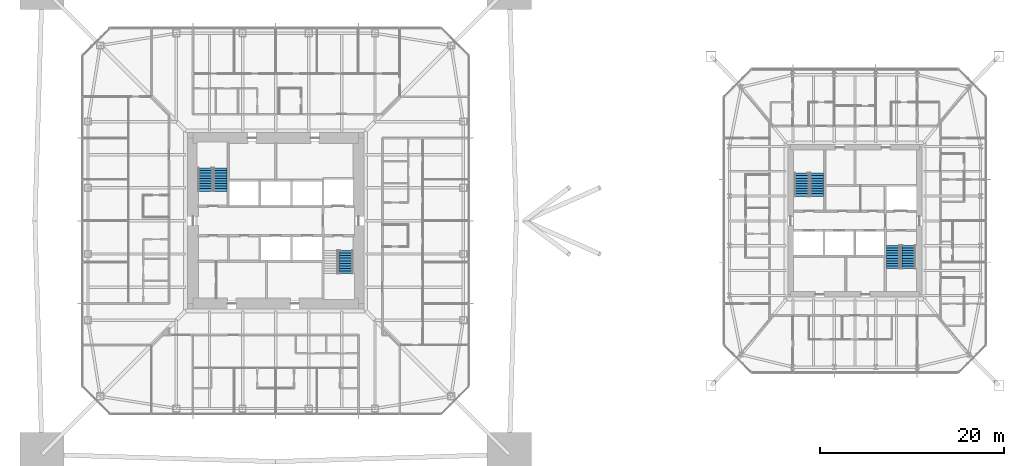
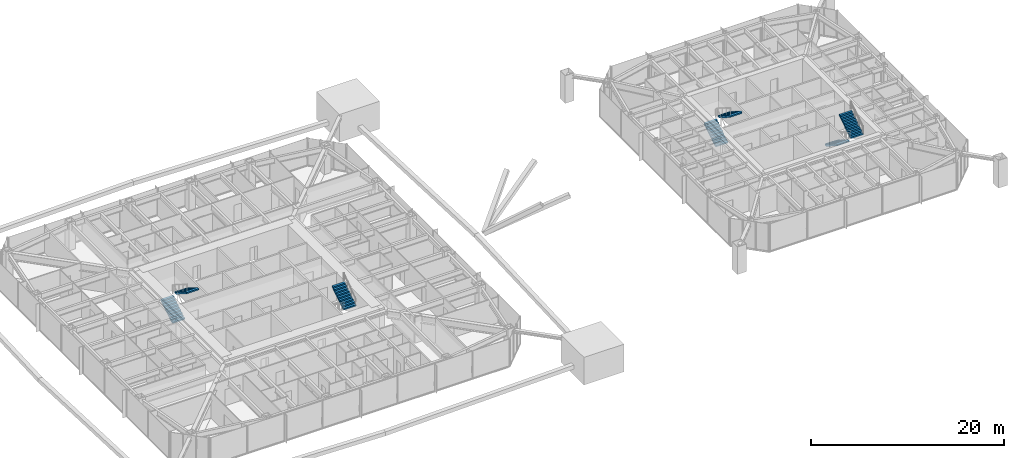
# One storey, part 22 of 27: 7 stair flights, 4 elements without a shape of their own.
"""IFC4 building model written with IfcOpenShell, lengths in metres."""

from ifc_helpers import new_model, si_unit, direction, frame, origin, place, context, subcontext, project, spatial, polyline, outline, extrude, material, constituent, constituent_set, type_object, element, aggregate, save


model = new_model("IFC4")

# Units and contexts
model_context = context("Model", 3, precision=1e-05, world=origin(), true_north=direction((0.0, 1.0)))
body_context = subcontext(model_context, "Body", "Model", "MODEL_VIEW")
ifc_project = project(units=[si_unit("LENGTHUNIT", "METRE"), si_unit("AREAUNIT", "SQUARE_METRE"), si_unit("VOLUMEUNIT", "CUBIC_METRE"), si_unit("PLANEANGLEUNIT", "RADIAN"), si_unit("MASSUNIT", "GRAM", prefix="KILO")], contexts=[model_context])

# Site, building, storey
site_placement = place(None, origin())
site = spatial("IfcSite", under=ifc_project, at=site_placement, CompositionType="ELEMENT")
building_placement = place(site_placement, origin())
building = spatial("IfcBuilding", under=site, at=building_placement, Name="Iwan Alto Co-Living Towers", CompositionType="ELEMENT")
storey_placement = place(building_placement, frame((0.0, 0.0, 91.0)))
storey = spatial("IfcBuildingStorey", under=building, at=storey_placement, Name="L24", CompositionType="ELEMENT", Elevation=91.0)

# Stair, stair flights
ifc_material_1 = material(Name="Steel ASTM A36", Category="steel")
ifc_constituent_1 = constituent(ifc_material_1, Name="Stringers", Category="LoadBearing")
ifc_material_2 = material(Name="Concrete f'c 30 MPa", Category="concrete")
ifc_constituent_2 = constituent(ifc_material_2, Name="Tread fill", Category="Finish")
ifc_constituent_set_1 = constituent_set(constituents=[ifc_constituent_1, ifc_constituent_2], Name="STAIR 3500 TWO-FLIGHT T1 CORE")
stair_type_1 = type_object("IfcStairType", Name="STAIR 3500 TWO-FLIGHT T1 CORE", PredefinedType="HALF_TURN_STAIR", material=ifc_constituent_set_1)
stair_1_placement = place(storey_placement, origin())
stair_1 = element("IfcStair", 1, at=stair_1_placement, inside=storey, type_object=stair_type_1, Name="Stair T1-S1 L24 to L25", PredefinedType="HALF_TURN_STAIR")
ifc_constituent_3 = constituent(ifc_material_1, Name="Stringers", Category="LoadBearing")
ifc_constituent_4 = constituent(ifc_material_2, Name="Tread fill", Category="Finish")
ifc_constituent_set_2 = constituent_set(constituents=[ifc_constituent_3, ifc_constituent_4], Name="STAIR FLIGHT 10 RISERS 280 GOING")
stair_flight_type = type_object("IfcStairFlightType", Name="STAIR FLIGHT 10 RISERS 280 GOING", PredefinedType="STRAIGHT", material=ifc_constituent_set_2)
stair_flight_1_placement = place(storey_placement, frame((-7.68994140625, 3.219970703125, 0.0), z_axis=(0.0, 0.0, 1.0), x_axis=(0.0, 1.0, 0.0)))
stair_flight_1 = element("IfcStairFlight", 2, at=stair_flight_1_placement, type_object=stair_flight_type, Name="T1-S1 flight 1", NumberOfRisers=10, NumberOfTreads=9, PredefinedType="STRAIGHT", RiserHeight=0.175, TreadLength=0.28, context=body_context, shape_type="SweptSolid", body=[
    extrude(outline(polyline([(0.0, 0.0), (0.0, 0.175048828125), (0.280029296875, 0.175048828125), (0.280029296875, 0.35009765625), (0.56005859375, 0.35009765625), (0.56005859375, 0.52490234375), (0.840087890625, 0.52490234375), (0.840087890625, 0.699951171875), (1.1201171875, 0.699951171875), (1.1201171875, 0.875), (1.39990234375, 0.875), (1.39990234375, 1.050048828125), (1.679931640625, 1.050048828125), (1.679931640625, 1.22509765625), (1.9599609375, 1.22509765625), (1.9599609375, 1.39990234375), (2.239990234375, 1.39990234375), (2.239990234375, 1.574951171875), (2.52001953125, 1.574951171875), (2.52001953125, 1.75), (2.52001953125, 1.398193359375), (0.28271484375, 0.0), (0.0, 0.0)])), frame((0.0, 0.739990234375, 0.0), z_axis=(0.0, -1.0, 0.0), x_axis=(1.0, 0.0, 0.0)), (0.0, 0.0, 1.0), 1.47998046875),
])
stair_flight_2_placement = place(storey_placement, frame((-6.010009765625, 5.739990234375, 1.75), z_axis=(0.0, 0.0, 1.0), x_axis=(0.0, -1.0, 0.0)))
stair_flight_2 = element("IfcStairFlight", 3, at=stair_flight_2_placement, type_object=stair_flight_type, Name="T1-S1 flight 2", NumberOfRisers=10, NumberOfTreads=9, PredefinedType="STRAIGHT", RiserHeight=0.175, TreadLength=0.28, context=body_context, shape_type="SweptSolid", body=[
    extrude(outline(polyline([(0.0, 0.0), (0.0, 0.175048828125), (0.280029296875, 0.175048828125), (0.280029296875, 0.35009765625), (0.56005859375, 0.35009765625), (0.56005859375, 0.52490234375), (0.840087890625, 0.52490234375), (0.840087890625, 0.699951171875), (1.1201171875, 0.699951171875), (1.1201171875, 0.875), (1.39990234375, 0.875), (1.39990234375, 1.050048828125), (1.679931640625, 1.050048828125), (1.679931640625, 1.22509765625), (1.9599609375, 1.22509765625), (1.9599609375, 1.39990234375), (2.239990234375, 1.39990234375), (2.239990234375, 1.574951171875), (2.52001953125, 1.574951171875), (2.52001953125, 1.75), (2.52001953125, 1.398193359375), (0.28271484375, 0.0), (0.0, 0.0)])), frame((0.0, 0.739990234375, 0.0), z_axis=(0.0, -1.0, 0.0), x_axis=(1.0, 0.0, 0.0)), (0.0, 0.0, 1.0), 1.47998046875),
])
aggregate(stair_1, [stair_flight_1, stair_flight_2])

# Stair, stair flight
stair_2_placement = place(storey_placement, origin())
stair_2 = element("IfcStair", 4, at=stair_2_placement, inside=storey, type_object=stair_type_1, Name="Stair T1-S2 L24 to L25", PredefinedType="HALF_TURN_STAIR")
stair_flight_3_placement = place(storey_placement, frame((7.68994140625, -5.739990234375, 1.75), z_axis=(0.0, 0.0, 1.0), x_axis=(0.0, 1.0, 0.0)))
stair_flight_3 = element("IfcStairFlight", 5, at=stair_flight_3_placement, type_object=stair_flight_type, Name="T1-S2 flight 2", NumberOfRisers=10, NumberOfTreads=9, PredefinedType="STRAIGHT", RiserHeight=0.175, TreadLength=0.28, context=body_context, shape_type="SweptSolid", body=[
    extrude(outline(polyline([(0.0, 0.0), (0.0, 0.175048828125), (0.280029296875, 0.175048828125), (0.280029296875, 0.35009765625), (0.56005859375, 0.35009765625), (0.56005859375, 0.52490234375), (0.840087890625, 0.52490234375), (0.840087890625, 0.699951171875), (1.1201171875, 0.699951171875), (1.1201171875, 0.875), (1.39990234375, 0.875), (1.39990234375, 1.050048828125), (1.679931640625, 1.050048828125), (1.679931640625, 1.22509765625), (1.9599609375, 1.22509765625), (1.9599609375, 1.39990234375), (2.239990234375, 1.39990234375), (2.239990234375, 1.574951171875), (2.52001953125, 1.574951171875), (2.52001953125, 1.75), (2.52001953125, 1.398193359375), (0.28271484375, 0.0), (0.0, 0.0)])), frame((0.0, 0.739990234375, 0.0), z_axis=(0.0, -1.0, 0.0), x_axis=(1.0, 0.0, 0.0)), (0.0, 0.0, 1.0), 1.47998046875),
])
aggregate(stair_2, [stair_flight_3])

# Stair, stair flights
ifc_constituent_5 = constituent(ifc_material_1, Name="Stringers", Category="LoadBearing")
ifc_constituent_6 = constituent(ifc_material_2, Name="Tread fill", Category="Finish")
ifc_constituent_set_3 = constituent_set(constituents=[ifc_constituent_5, ifc_constituent_6], Name="STAIR 3500 TWO-FLIGHT T2 CORE")
stair_type_2 = type_object("IfcStairType", Name="STAIR 3500 TWO-FLIGHT T2 CORE", PredefinedType="HALF_TURN_STAIR", material=ifc_constituent_set_3)
stair_3_placement = place(storey_placement, origin())
stair_3 = element("IfcStair", 6, at=stair_3_placement, inside=storey, type_object=stair_type_2, Name="Stair T2-S1 L24 to L25", PredefinedType="HALF_TURN_STAIR")
stair_flight_4_placement = place(storey_placement, frame((57.159912109375, 2.669921875, 0.0), z_axis=(0.0, 0.0, 1.0), x_axis=(0.0, 1.0, 0.0)))
stair_flight_4 = element("IfcStairFlight", 7, at=stair_flight_4_placement, type_object=stair_flight_type, Name="T2-S1 flight 1", NumberOfRisers=10, NumberOfTreads=9, PredefinedType="STRAIGHT", RiserHeight=0.175, TreadLength=0.28, context=body_context, shape_type="SweptSolid", body=[
    extrude(outline(polyline([(0.0, 0.0), (0.0, 0.175048828125), (0.280029296875, 0.175048828125), (0.280029296875, 0.35009765625), (0.56005859375, 0.35009765625), (0.56005859375, 0.52490234375), (0.840087890625, 0.52490234375), (0.840087890625, 0.699951171875), (1.1201171875, 0.699951171875), (1.1201171875, 0.875), (1.39990234375, 0.875), (1.39990234375, 1.050048828125), (1.679931640625, 1.050048828125), (1.679931640625, 1.22509765625), (1.9599609375, 1.22509765625), (1.9599609375, 1.39990234375), (2.239990234375, 1.39990234375), (2.239990234375, 1.574951171875), (2.52001953125, 1.574951171875), (2.52001953125, 1.75), (2.52001953125, 1.398193359375), (0.28271484375, 0.0), (0.0, 0.0)])), frame((0.0, 0.739990234375, 0.0), z_axis=(0.0, -1.0, 0.0), x_axis=(1.0, 0.0, 0.0)), (0.0, 0.0, 1.0), 1.47998046875),
])
stair_flight_5_placement = place(storey_placement, frame((58.840087890625, 5.18994140625, 1.75), z_axis=(0.0, 0.0, 1.0), x_axis=(0.0, -1.0, 0.0)))
stair_flight_5 = element("IfcStairFlight", 8, at=stair_flight_5_placement, type_object=stair_flight_type, Name="T2-S1 flight 2", NumberOfRisers=10, NumberOfTreads=9, PredefinedType="STRAIGHT", RiserHeight=0.175, TreadLength=0.28, context=body_context, shape_type="SweptSolid", body=[
    extrude(outline(polyline([(0.0, 0.0), (0.0, 0.175048828125), (0.280029296875, 0.175048828125), (0.280029296875, 0.35009765625), (0.56005859375, 0.35009765625), (0.56005859375, 0.52490234375), (0.840087890625, 0.52490234375), (0.840087890625, 0.699951171875), (1.1201171875, 0.699951171875), (1.1201171875, 0.875), (1.39990234375, 0.875), (1.39990234375, 1.050048828125), (1.679931640625, 1.050048828125), (1.679931640625, 1.22509765625), (1.9599609375, 1.22509765625), (1.9599609375, 1.39990234375), (2.239990234375, 1.39990234375), (2.239990234375, 1.574951171875), (2.52001953125, 1.574951171875), (2.52001953125, 1.75), (2.52001953125, 1.398193359375), (0.28271484375, 0.0), (0.0, 0.0)])), frame((0.0, 0.739990234375, 0.0), z_axis=(0.0, -1.0, 0.0), x_axis=(1.0, 0.0, 0.0)), (0.0, 0.0, 1.0), 1.47998046875),
])
aggregate(stair_3, [stair_flight_4, stair_flight_5])

stair_4_placement = place(storey_placement, origin())
stair_4 = element("IfcStair", 9, at=stair_4_placement, inside=storey, type_object=stair_type_2, Name="Stair T2-S2 L24 to L25", PredefinedType="HALF_TURN_STAIR")
stair_flight_6_placement = place(storey_placement, frame((67.159912109375, -2.669921875, 0.0), z_axis=(0.0, 0.0, 1.0), x_axis=(0.0, -1.0, 0.0)))
stair_flight_6 = element("IfcStairFlight", 10, at=stair_flight_6_placement, type_object=stair_flight_type, Name="T2-S2 flight 1", NumberOfRisers=10, NumberOfTreads=9, PredefinedType="STRAIGHT", RiserHeight=0.175, TreadLength=0.28, context=body_context, shape_type="SweptSolid", body=[
    extrude(outline(polyline([(0.0, 0.0), (0.0, 0.175048828125), (0.280029296875, 0.175048828125), (0.280029296875, 0.35009765625), (0.56005859375, 0.35009765625), (0.56005859375, 0.52490234375), (0.840087890625, 0.52490234375), (0.840087890625, 0.699951171875), (1.1201171875, 0.699951171875), (1.1201171875, 0.875), (1.39990234375, 0.875), (1.39990234375, 1.050048828125), (1.679931640625, 1.050048828125), (1.679931640625, 1.22509765625), (1.9599609375, 1.22509765625), (1.9599609375, 1.39990234375), (2.239990234375, 1.39990234375), (2.239990234375, 1.574951171875), (2.52001953125, 1.574951171875), (2.52001953125, 1.75), (2.52001953125, 1.398193359375), (0.28271484375, 0.0), (0.0, 0.0)])), frame((0.0, 0.739990234375, 0.0), z_axis=(0.0, -1.0, 0.0), x_axis=(1.0, 0.0, 0.0)), (0.0, 0.0, 1.0), 1.47998046875),
])
stair_flight_7_placement = place(storey_placement, frame((68.840087890625, -5.18994140625, 1.75), z_axis=(0.0, 0.0, 1.0), x_axis=(0.0, 1.0, 0.0)))
stair_flight_7 = element("IfcStairFlight", 11, at=stair_flight_7_placement, type_object=stair_flight_type, Name="T2-S2 flight 2", NumberOfRisers=10, NumberOfTreads=9, PredefinedType="STRAIGHT", RiserHeight=0.175, TreadLength=0.28, context=body_context, shape_type="SweptSolid", body=[
    extrude(outline(polyline([(0.0, 0.0), (0.0, 0.175048828125), (0.280029296875, 0.175048828125), (0.280029296875, 0.35009765625), (0.56005859375, 0.35009765625), (0.56005859375, 0.52490234375), (0.840087890625, 0.52490234375), (0.840087890625, 0.699951171875), (1.1201171875, 0.699951171875), (1.1201171875, 0.875), (1.39990234375, 0.875), (1.39990234375, 1.050048828125), (1.679931640625, 1.050048828125), (1.679931640625, 1.22509765625), (1.9599609375, 1.22509765625), (1.9599609375, 1.39990234375), (2.239990234375, 1.39990234375), (2.239990234375, 1.574951171875), (2.52001953125, 1.574951171875), (2.52001953125, 1.75), (2.52001953125, 1.398193359375), (0.28271484375, 0.0), (0.0, 0.0)])), frame((0.0, 0.739990234375, 0.0), z_axis=(0.0, -1.0, 0.0), x_axis=(1.0, 0.0, 0.0)), (0.0, 0.0, 1.0), 1.47998046875),
])
aggregate(stair_4, [stair_flight_6, stair_flight_7])

save(model, "model.ifc")
